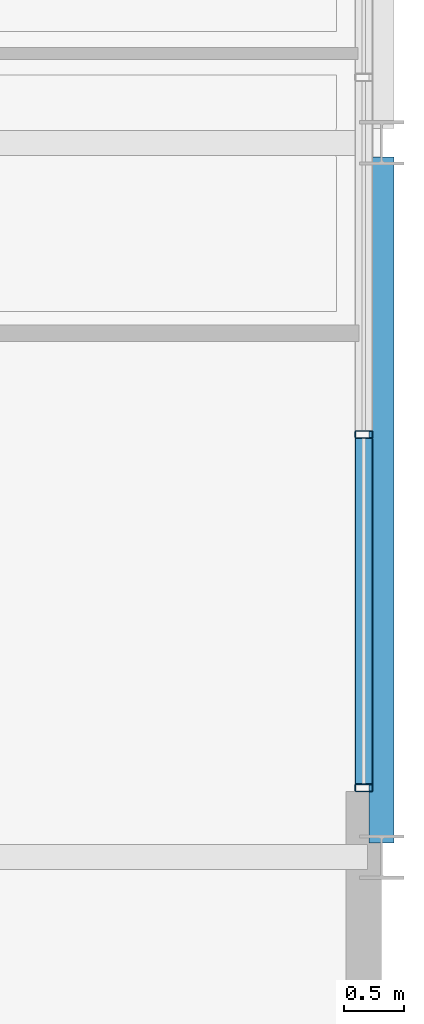
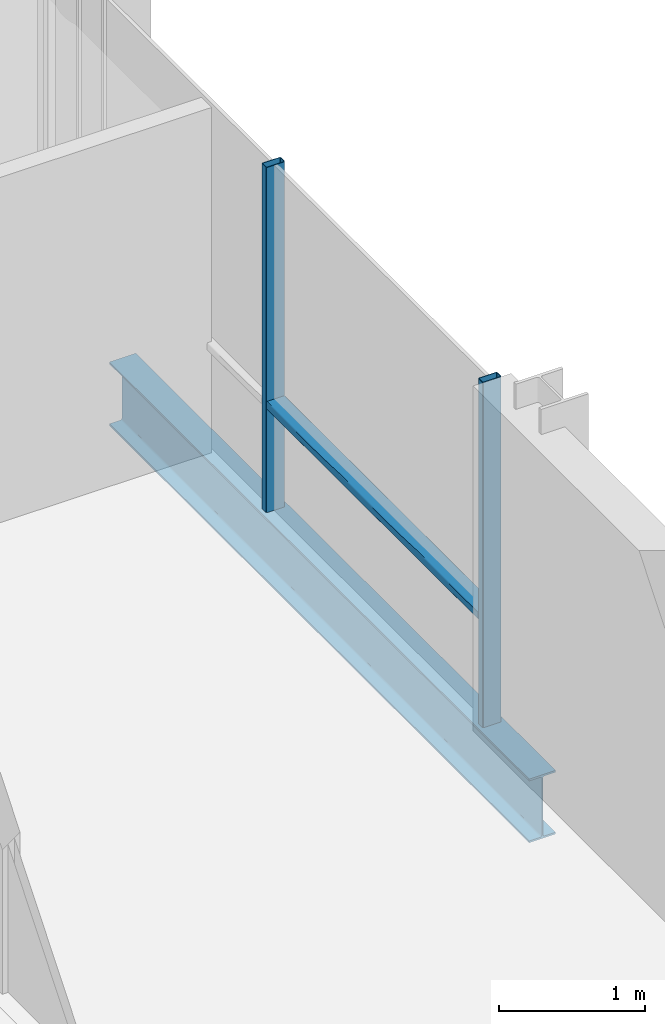
# One storey, part 11 of 29: 3 members, 1 beam, 1 element without a shape of its own.
"""IFC4 building model written with IfcOpenShell, lengths in metres."""

from ifc_helpers import new_model, si_unit, direction, frame, origin, origin_2d, place, context, subcontext, project, spatial, hollow_rectangle, i_section, extrude, material, layer, layer_set, material_profile, profile_set, type_object, element, aggregate, save


model = new_model("IFC4")

# Units and contexts
model_context = context("Model", 3, precision=1e-05, world=origin(), true_north=direction((0.0, 1.0)))
body_context = subcontext(model_context, "Body", "Model", "MODEL_VIEW")
ifc_project = project(units=[si_unit("LENGTHUNIT", "METRE"), si_unit("AREAUNIT", "SQUARE_METRE"), si_unit("VOLUMEUNIT", "CUBIC_METRE"), si_unit("PLANEANGLEUNIT", "RADIAN"), si_unit("MASSUNIT", "GRAM", prefix="KILO")], contexts=[model_context])

# Site, building, storey
site_placement = place(None, origin())
site = spatial("IfcSite", under=ifc_project, at=site_placement, CompositionType="ELEMENT")
building_placement = place(site_placement, origin())
building = spatial("IfcBuilding", under=site, at=building_placement, Name="Brevholm Reach", CompositionType="ELEMENT")
storey_placement = place(building_placement, frame((0.0, 0.0, 208.0)))
storey = spatial("IfcBuildingStorey", under=building, at=storey_placement, Name="L63", CompositionType="ELEMENT", Elevation=208.0)

# Beam
ifc_material_1 = material(Name="Structural Steel S355J2", Category="steel")
ifc_material_profile_1 = material_profile(ifc_material_1, i_section(OverallWidth=0.209228515625, OverallDepth=0.533203125, WebThickness=0.010009765625, FlangeThickness=0.015625, FilletRadius=0.0126953125, at=origin_2d()), Name="UKB 533x210x92")
ifc_profile_set_1 = profile_set([ifc_material_profile_1], Name="Structural Steel S355J2")
beam_type = type_object("IfcBeamType", Name="BM-SP533", PredefinedType="SPANDREL", material=ifc_profile_set_1)
beam_placement = place(storey_placement, frame((60.0, 10.1201171875, -0.4765625), z_axis=(0.0, 1.0, 0.0), x_axis=(-1.0, 0.0, 0.0)))
element("IfcBeam", 1, at=beam_placement, inside=storey, type_object=beam_type, Name="L63 SP-02 Framing Beam", PredefinedType="SPANDREL", context=body_context, shape_type="SweptSolid", body=[
    extrude(i_section(OverallWidth=0.209228515625, OverallDepth=0.533203125, WebThickness=0.010009765625, FlangeThickness=0.015625, FilletRadius=0.0126953125, at=origin_2d()), origin(), (0.0, 0.0, 1.0), 5.759765625),
])

# Curtain wall, members
ifc_material_2 = material(Name="Dark Anodised Aluminium 6063-T6 and Solar-Control Glass", Category="aluminium")
ifc_layer = layer(ifc_material_2, 0.14990234375)
ifc_layer_set = layer_set([ifc_layer], Name="Dark Anodised Aluminium 6063-T6 and Solar-Control Glass")
curtain_wall_type = type_object("IfcCurtainWallType", Name="CW-01", PredefinedType="NOTDEFINED", material=ifc_layer_set)
curtain_wall_placement = place(storey_placement, origin())
curtain_wall = element("IfcCurtainWall", 2, at=curtain_wall_placement, inside=storey, type_object=curtain_wall_type, Name="L63 Curtain Wall CW-01", PredefinedType="NOTDEFINED")
ifc_material_3 = material(Name="Dark Anodised Aluminium 6063-T6", Category="aluminium")
ifc_material_profile_2 = material_profile(ifc_material_3, hollow_rectangle(XDim=0.06494140625, YDim=0.14990234375, WallThickness=0.0048828125, InnerFilletRadius=0.0048828125, OuterFilletRadius=0.010009765625, at=origin_2d()), Name="RHS 150x65x5")
ifc_profile_set_2 = profile_set([ifc_material_profile_2], Name="Dark Anodised Aluminium 6063-T6")
member_type_1 = type_object("IfcMemberType", Name="CWM-150", PredefinedType="MULLION", material=ifc_profile_set_2)
member_1_placement = place(storey_placement, frame((59.85009765625, 10.58251953125, 0.0), z_axis=(0.0, 0.0, 1.0), x_axis=(0.0, 1.0, 0.0)))
member_1 = element("IfcMember", 3, at=member_1_placement, type_object=member_type_1, Name="CM-150 Mullion 1", PredefinedType="MULLION", context=body_context, shape_type="SweptSolid", body=[
    extrude(hollow_rectangle(XDim=0.06494140625, YDim=0.14990234375, WallThickness=0.0048828125, InnerFilletRadius=0.0048828125, OuterFilletRadius=0.010009765625, at=origin_2d()), origin(), (0.0, 0.0, 1.0), 2.889892578125),
])
member_2_placement = place(storey_placement, frame((59.85009765625, 13.550048828125, 0.0), z_axis=(0.0, 0.0, 1.0), x_axis=(0.0, 1.0, 0.0)))
member_2 = element("IfcMember", 4, at=member_2_placement, type_object=member_type_1, Name="CM-150 Mullion 2", PredefinedType="MULLION", context=body_context, shape_type="SweptSolid", body=[
    extrude(hollow_rectangle(XDim=0.06494140625, YDim=0.14990234375, WallThickness=0.0048828125, InnerFilletRadius=0.0048828125, OuterFilletRadius=0.010009765625, at=origin_2d()), origin(), (0.0, 0.0, 1.0), 2.889892578125),
])
ifc_material_4 = material(Name="Dark Anodised Aluminium 6063-T6", Category="aluminium")
ifc_material_profile_3 = material_profile(ifc_material_4, hollow_rectangle(XDim=0.06494140625, YDim=0.14990234375, WallThickness=0.0048828125, InnerFilletRadius=0.0048828125, OuterFilletRadius=0.010009765625, at=origin_2d()), Name="RHS 150x65x5")
ifc_profile_set_3 = profile_set([ifc_material_profile_3], Name="Dark Anodised Aluminium 6063-T6")
member_type_2 = type_object("IfcMemberType", Name="CWT-150", PredefinedType="NOTDEFINED", material=ifc_profile_set_3)
member_3_placement = place(storey_placement, frame((59.85009765625, 10.614990234375, 0.89990234375), z_axis=(0.0, 1.0, 0.0), x_axis=(0.0, 0.0, 1.0)))
member_3 = element("IfcMember", 5, at=member_3_placement, type_object=member_type_2, Name="CT-150 Transom 1.1", ObjectType="TRANSOM", PredefinedType="USERDEFINED", context=body_context, shape_type="SweptSolid", body=[
    extrude(hollow_rectangle(XDim=0.06494140625, YDim=0.14990234375, WallThickness=0.0048828125, InnerFilletRadius=0.0048828125, OuterFilletRadius=0.010009765625, at=origin_2d()), origin(), (0.0, 0.0, 1.0), 2.902587890625),
])
aggregate(curtain_wall, [member_1, member_2, member_3])

save(model, "model.ifc")
